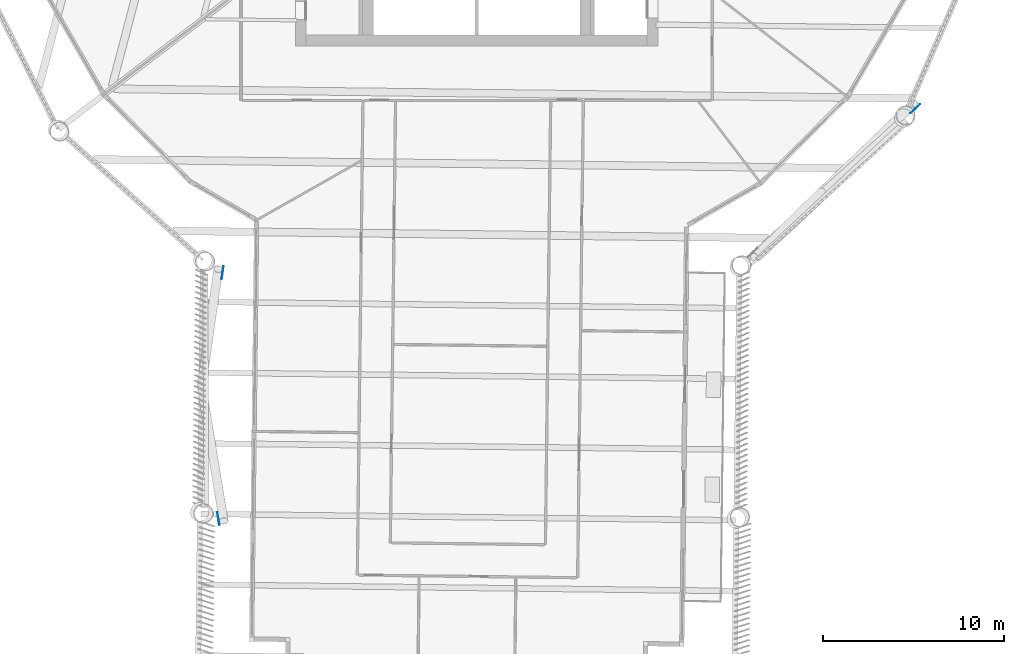
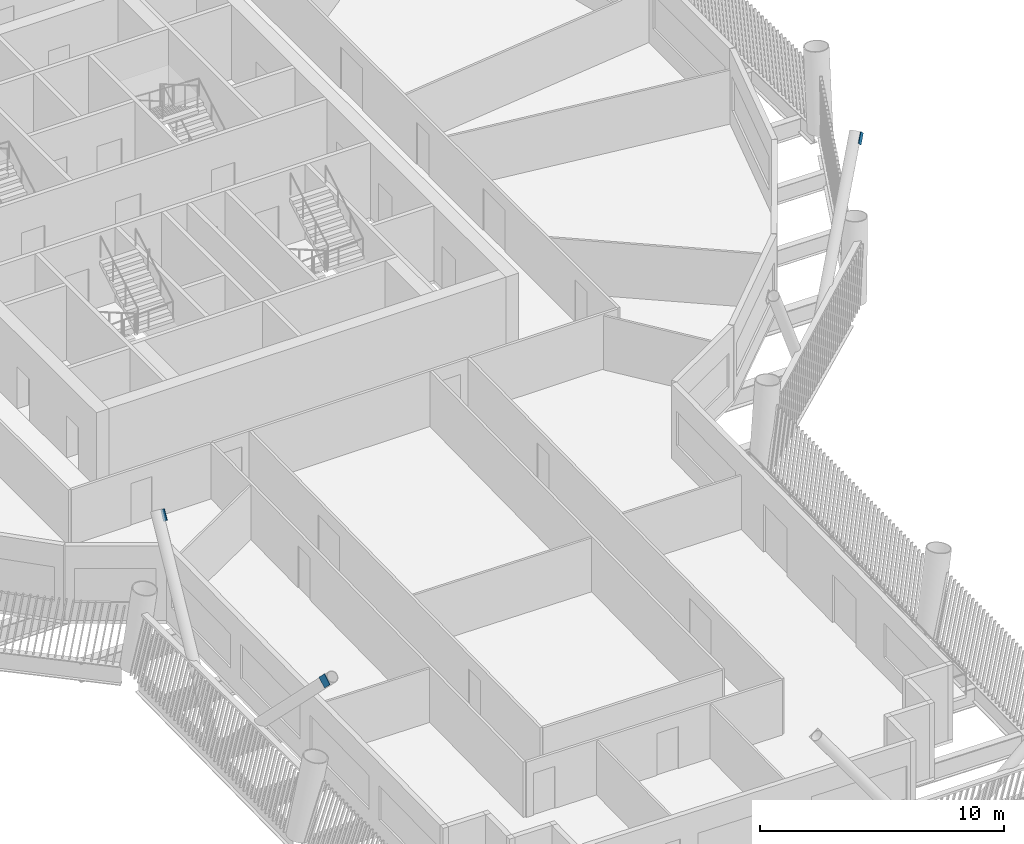
# One storey, part 8 of 21: 3 discrete accessories.
"""IFC4 building model written with IfcOpenShell, lengths in metres."""

from ifc_helpers import new_model, si_unit, direction, frame, origin, origin_2d, place, context, subcontext, project, spatial, rectangle, extrude, material, material_profile, profile_set, type_object, element, save


model = new_model("IFC4")

# Units and contexts
model_context = context("Model", 3, precision=1e-05, world=origin(), true_north=direction((0.0, 1.0)))
body_context = subcontext(model_context, "Body", "Model", "MODEL_VIEW")
ifc_project = project(units=[si_unit("LENGTHUNIT", "METRE"), si_unit("AREAUNIT", "SQUARE_METRE"), si_unit("VOLUMEUNIT", "CUBIC_METRE"), si_unit("PLANEANGLEUNIT", "RADIAN"), si_unit("MASSUNIT", "GRAM", prefix="KILO")], contexts=[model_context])

# Site, building, storey
site_placement = place(None, origin())
site = spatial("IfcSite", under=ifc_project, at=site_placement, CompositionType="ELEMENT")
building_placement = place(site_placement, origin())
building = spatial("IfcBuilding", under=site, at=building_placement, Name="Tarsis Ring Headquarters", CompositionType="ELEMENT")
storey_placement = place(building_placement, frame((0.0, 0.0, 223.800048828125)))
storey = spatial("IfcBuildingStorey", under=building, at=storey_placement, Name="L52", CompositionType="ELEMENT", Elevation=223.800048828125)

# Discrete accessories
ifc_material = material(Name="Structural steel S355", Category="steel")
ifc_material_profile = material_profile(ifc_material, rectangle(XDim=0.02490234375, YDim=0.5, at=origin_2d()), Name="PL 25x500")
ifc_profile_set = profile_set([ifc_material_profile], Name="Structural steel S355")
discrete_accessory_type = type_object("IfcDiscreteAccessoryType", Name="Gusset plate Exo brace 25", PredefinedType="BRACKET", material=ifc_profile_set)
discrete_accessory_placement = place(storey_placement, frame((-14.2177734375, -39.252197265625, 7.800048828125), z_axis=(-0.112755191117, 0.685805383201, -0.718997387512), x_axis=(-0.986752198434, -0.162234703088, 0.0)))
element("IfcDiscreteAccessory", 1, at=discrete_accessory_placement, inside=storey, type_object=discrete_accessory_type, Name="Gusset plate GP5", PredefinedType="BRACKET", context=body_context, shape_type="SweptSolid", body=[
    extrude(rectangle(XDim=0.02490234375, YDim=0.5, at=origin_2d()), origin(), (0.0, 0.0, 1.0), 0.500244140625),
])
for number, where, z_axis, x_axis, name in (
    (2, (-13.99169921875, -25.34765625, 7.800048828125), (-0.090810202121, -0.635183187953, -0.767004449096), (0.989934269878, -0.141527881781, 0.0), "Gusset plate GP5"),
    (3, (24.3271484375, -16.34619140625, 7.800048828125), (-0.483823798008, -0.466247958726, -0.740626338625), (0.693906941027, -0.72006468959, 0.0), "Gusset plate GP5"),
):
    element("IfcDiscreteAccessory", number, at=place(storey_placement, frame(where, z_axis=z_axis, x_axis=x_axis)), inside=storey, type_object=discrete_accessory_type, Name=name, PredefinedType="BRACKET", context=body_context, shape_type="SweptSolid", body=[
        extrude(rectangle(XDim=0.02490234375, YDim=0.5, at=origin_2d()), origin(), (0.0, 0.0, 1.0), 0.5),
    ])

save(model, "model.ifc")
